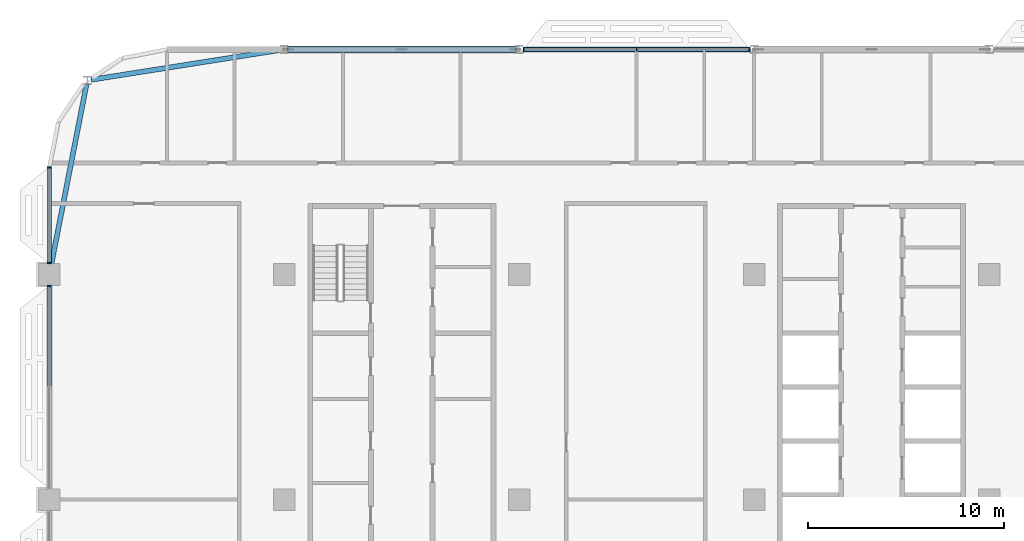
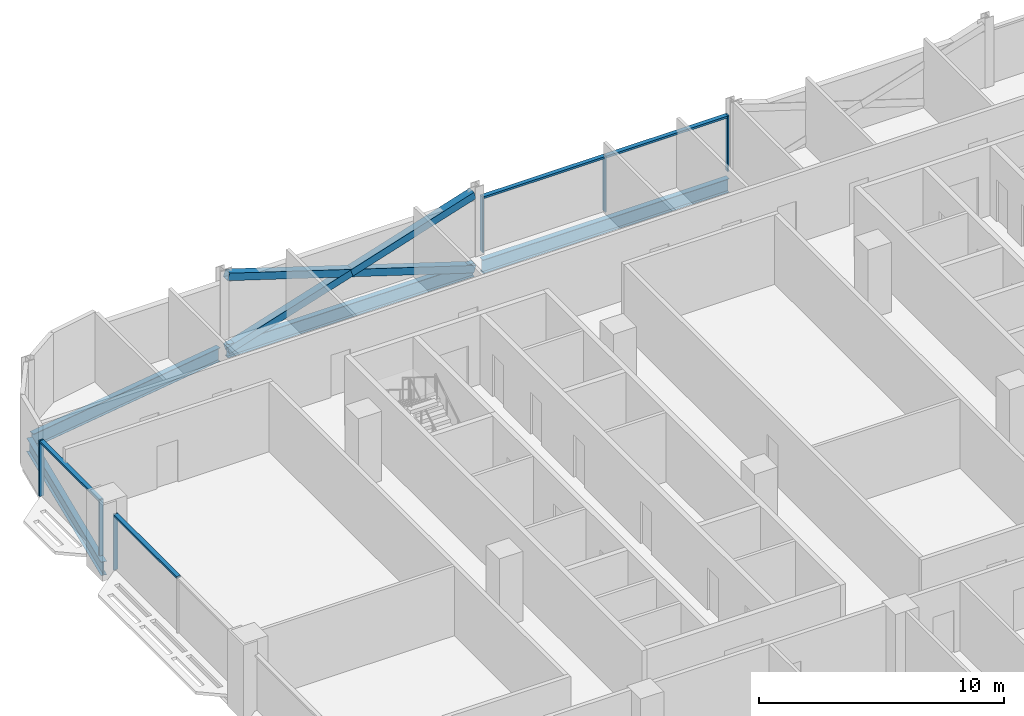
# One storey, part 7 of 30: 13 members, 4 beams, 3 elements without a shape of their own.
"""IFC4 building model written with IfcOpenShell, lengths in metres."""

from ifc_helpers import new_model, si_unit, direction, frame, origin, origin_2d, place, context, subcontext, project, spatial, rectangle, hollow_rectangle, i_section, extrude, material, material_profile, profile_set, type_object, element, aggregate, save


model = new_model("IFC4")

# Units and contexts
model_context = context("Model", 3, precision=1e-05, world=origin(), true_north=direction((0.0, 1.0)))
body_context = subcontext(model_context, "Body", "Model", "MODEL_VIEW")
ifc_project = project(units=[si_unit("LENGTHUNIT", "METRE"), si_unit("AREAUNIT", "SQUARE_METRE"), si_unit("VOLUMEUNIT", "CUBIC_METRE"), si_unit("PLANEANGLEUNIT", "RADIAN"), si_unit("MASSUNIT", "GRAM", prefix="KILO")], contexts=[model_context])

# Site, building, storey
site_placement = place(None, origin())
site = spatial("IfcSite", under=ifc_project, at=site_placement, CompositionType="ELEMENT")
building_placement = place(site_placement, origin())
building = spatial("IfcBuilding", under=site, at=building_placement, Name="Mahtab Terrace Research Tower", CompositionType="ELEMENT")
storey_placement = place(building_placement, frame((0.0, 0.0, 216.699951171875)))
storey = spatial("IfcBuildingStorey", under=building, at=storey_placement, Name="L52", CompositionType="ELEMENT", Elevation=216.699951171875)

# Members
ifc_material_1 = material(Name="Steel ASTM A500 Gr C", Category="steel")
ifc_material_profile_1 = material_profile(ifc_material_1, hollow_rectangle(XDim=0.355712890625, YDim=0.355712890625, WallThickness=0.015869140625, at=origin_2d()), Name="HSS14X14X5/8")
ifc_profile_set_1 = profile_set([ifc_material_profile_1], Name="Steel ASTM A500 Gr C")
member_type_1 = type_object("IfcMemberType", Name="HSS 14x14x5/8 brace XB141458", PredefinedType="BRACE", material=ifc_profile_set_1)
member_1_placement = place(storey_placement, frame((-18.20068359375, 23.0, -0.615478515625), z_axis=(-0.953343380425, 0.0, 0.301888057067), x_axis=(0.0, -1.0, 0.0)))
element("IfcMember", 1, at=member_1_placement, inside=storey, type_object=member_type_1, Name="Exoskeleton brace L52 07 a", PredefinedType="BRACE", context=body_context, shape_type="SweptSolid", body=[
    extrude(hollow_rectangle(XDim=0.355712890625, YDim=0.355712890625, WallThickness=0.015869140625, at=origin_2d()), origin(), (0.0, 0.0, 1.0), 12.166259765625),
])
for number, where, z_axis, x_axis, name in (
    (2, (-29.79931640625, 23.0, -0.615478515625), (0.953343380425, 0.0, 0.301888057067), (0.0, 1.0, 0.0), "Exoskeleton brace L52 07 b1"),
    (3, (-24.0, 23.0, 1.220947265625), (0.953343380425, 0.0, 0.301888057067), (0.0, 1.0, 0.0), "Exoskeleton brace L52 07 b2"),
):
    element("IfcMember", number, at=place(storey_placement, frame(where, z_axis=z_axis, x_axis=x_axis)), inside=storey, type_object=member_type_1, Name=name, PredefinedType="BRACE", context=body_context, shape_type="SweptSolid", body=[
        extrude(hollow_rectangle(XDim=0.355712890625, YDim=0.355712890625, WallThickness=0.015869140625, at=origin_2d()), origin(), (0.0, 0.0, 1.0), 6.083251953125),
    ])

# Curtain wall, members
ifc_material_2 = material(Name="Laboratory ribbon curtain wall")
curtain_wall_type = type_object("IfcCurtainWallType", Name="Laboratory ribbon curtain wall", PredefinedType="NOTDEFINED", material=ifc_material_2)
curtain_wall_1_placement = place(storey_placement, origin())
curtain_wall_1 = element("IfcCurtainWall", 4, at=curtain_wall_1_placement, inside=storey, type_object=curtain_wall_type, Name="EN.L52.3.8", PredefinedType="NOTDEFINED")
ifc_material_3 = material(Name="Natural anodised aluminium", Category="aluminium")
ifc_material_profile_2 = material_profile(ifc_material_3, rectangle(XDim=0.199951171875, YDim=0.06494140625, at=origin_2d()), Name="MULLION 65x200")
ifc_profile_set_2 = profile_set([ifc_material_profile_2], Name="Natural anodised aluminium")
member_type_2 = type_object("IfcMemberType", Name="Laboratory ribbon curtain wall mullion", PredefinedType="MULLION", material=ifc_profile_set_2)
member_2_placement = place(storey_placement, frame((-6.232421875, 23.0, 0.0), z_axis=(0.0, 0.0, 1.0), x_axis=(0.0, -1.0, 0.0)))
member_2 = element("IfcMember", 5, at=member_2_placement, type_object=member_type_2, Name="CWL-6 mullion 1", PredefinedType="MULLION", context=body_context, shape_type="SweptSolid", body=[
    extrude(rectangle(XDim=0.199951171875, YDim=0.06494140625, at=origin_2d()), origin(), (0.0, 0.0, 1.0), 2.78173828125),
])
member_3_placement = place(storey_placement, frame((-12.0, 23.0, 0.0), z_axis=(0.0, 0.0, 1.0), x_axis=(0.0, -1.0, 0.0)))
member_3 = element("IfcMember", 6, at=member_3_placement, type_object=member_type_2, Name="CWL-6 mullion 2", PredefinedType="MULLION", context=body_context, shape_type="SweptSolid", body=[
    extrude(rectangle(XDim=0.199951171875, YDim=0.06494140625, at=origin_2d()), origin(), (0.0, 0.0, 1.0), 2.78173828125),
])
member_4_placement = place(storey_placement, frame((-17.767578125, 23.0, 0.0), z_axis=(0.0, 0.0, 1.0), x_axis=(0.0, -1.0, 0.0)))
member_4 = element("IfcMember", 7, at=member_4_placement, type_object=member_type_2, Name="CWL-6 mullion 3", PredefinedType="MULLION", context=body_context, shape_type="SweptSolid", body=[
    extrude(rectangle(XDim=0.199951171875, YDim=0.06494140625, at=origin_2d()), origin(), (0.0, 0.0, 1.0), 2.78173828125),
])

curtain_wall_2_placement = place(storey_placement, origin())
curtain_wall_2 = element("IfcCurtainWall", 8, at=curtain_wall_2_placement, inside=storey, type_object=curtain_wall_type, Name="EN.L52.8.15", PredefinedType="NOTDEFINED")
member_5_placement = place(storey_placement, frame((-42.0, 16.967529296875, 0.0), z_axis=(0.0, 0.0, 1.0), x_axis=(1.0, 0.0, 0.0)))
member_5 = element("IfcMember", 9, at=member_5_placement, type_object=member_type_2, Name="CWL-6 mullion 1", PredefinedType="MULLION", context=body_context, shape_type="SweptSolid", body=[
    extrude(rectangle(XDim=0.199951171875, YDim=0.06494140625, at=origin_2d()), origin(), (0.0, 0.0, 1.0), 2.78173828125),
])
member_6_placement = place(storey_placement, frame((-42.0, 12.08251953125, 0.0), z_axis=(0.0, 0.0, 1.0), x_axis=(1.0, 0.0, 0.0)))
member_6 = element("IfcMember", 10, at=member_6_placement, type_object=member_type_2, Name="CWL-6 mullion 2", PredefinedType="MULLION", context=body_context, shape_type="SweptSolid", body=[
    extrude(rectangle(XDim=0.199951171875, YDim=0.06494140625, at=origin_2d()), origin(), (0.0, 0.0, 1.0), 2.78173828125),
])

# Curtain wall, member
curtain_wall_3_placement = place(storey_placement, origin())
curtain_wall_3 = element("IfcCurtainWall", 11, at=curtain_wall_3_placement, inside=storey, type_object=curtain_wall_type, Name="EN.L52.8.16", PredefinedType="NOTDEFINED")
member_7_placement = place(storey_placement, frame((-42.0, 10.91748046875, 0.0), z_axis=(0.0, 0.0, 1.0), x_axis=(1.0, 0.0, 0.0)))
member_7 = element("IfcMember", 12, at=member_7_placement, type_object=member_type_2, Name="CWL-6 mullion 1", PredefinedType="MULLION", context=body_context, shape_type="SweptSolid", body=[
    extrude(rectangle(XDim=0.199951171875, YDim=0.06494140625, at=origin_2d()), origin(), (0.0, 0.0, 1.0), 2.78173828125),
])

# Member
ifc_material_profile_3 = material_profile(ifc_material_3, rectangle(XDim=0.199951171875, YDim=0.10009765625, at=origin_2d()), Name="TRANSOM 100x200")
ifc_profile_set_3 = profile_set([ifc_material_profile_3], Name="Natural anodised aluminium")
member_type_3 = type_object("IfcMemberType", Name="Laboratory ribbon curtain wall transom", PredefinedType="USERDEFINED", material=ifc_profile_set_3)
member_8_placement = place(storey_placement, frame((-6.264892578125, 23.0, 2.73193359375), z_axis=(-1.0, 0.0, 0.0), x_axis=(0.0, -1.0, 0.0)))
member_8 = element("IfcMember", 13, at=member_8_placement, type_object=member_type_3, Name="CWL-6 transom 1", ObjectType="TRANSOM", PredefinedType="USERDEFINED", context=body_context, shape_type="SweptSolid", body=[
    extrude(rectangle(XDim=0.199951171875, YDim=0.10009765625, at=origin_2d()), origin(), (0.0, 0.0, 1.0), 5.70263671875),
])

member_9_placement = place(storey_placement, frame((-12.032470703125, 23.0, 2.73193359375), z_axis=(-1.0, 0.0, 0.0), x_axis=(0.0, -1.0, 0.0)))
member_9 = element("IfcMember", 14, at=member_9_placement, type_object=member_type_3, Name="CWL-6 transom 2", ObjectType="TRANSOM", PredefinedType="USERDEFINED", context=body_context, shape_type="SweptSolid", body=[
    extrude(rectangle(XDim=0.199951171875, YDim=0.10009765625, at=origin_2d()), origin(), (0.0, 0.0, 1.0), 5.70263671875),
])

aggregate(curtain_wall_1, [member_2, member_3, member_4, member_8, member_9])

member_10_placement = place(storey_placement, frame((-42.0, 16.93505859375, 2.73193359375), z_axis=(0.0, -1.0, 0.0), x_axis=(1.0, 0.0, 0.0)))
member_10 = element("IfcMember", 15, at=member_10_placement, type_object=member_type_3, Name="CWL-6 transom 1", ObjectType="TRANSOM", PredefinedType="USERDEFINED", context=body_context, shape_type="SweptSolid", body=[
    extrude(rectangle(XDim=0.199951171875, YDim=0.10009765625, at=origin_2d()), origin(), (0.0, 0.0, 1.0), 4.820068359375),
])

aggregate(curtain_wall_2, [member_5, member_6, member_10])

member_11_placement = place(storey_placement, frame((-42.0, 10.885009765625, 2.73193359375), z_axis=(0.0, -1.0, 0.0), x_axis=(1.0, 0.0, 0.0)))
member_11 = element("IfcMember", 16, at=member_11_placement, type_object=member_type_3, Name="CWL-6 transom 1", ObjectType="TRANSOM", PredefinedType="USERDEFINED", context=body_context, shape_type="SweptSolid", body=[
    extrude(rectangle(XDim=0.199951171875, YDim=0.10009765625, at=origin_2d()), origin(), (0.0, 0.0, 1.0), 5.1025390625),
])

aggregate(curtain_wall_3, [member_7, member_11])

# Beams
ifc_material_4 = material(Name="Steel ASTM A992 Gr 50", Category="steel")
ifc_material_profile_4 = material_profile(ifc_material_4, i_section(OverallWidth=0.25390625, OverallDepth=0.67822265625, WebThickness=0.01171875, FlangeThickness=0.016357421875, at=origin_2d()), Name="W27X84")
ifc_profile_set_4 = profile_set([ifc_material_profile_4], Name="Steel ASTM A992 Gr 50")
beam_type = type_object("IfcBeamType", Name="W27x84 beam BS2784", PredefinedType="BEAM", material=ifc_profile_set_4)
for number, where, z_axis, x_axis, name in (
    (17, (-6.20068359375, 23.0, -0.678955078125), (-1.0, 0.0, 0.0), (0.0, -1.0, 0.0), "Spandrel beam L52 06"),
    (18, (-18.20068359375, 23.0, -0.678955078125), (-1.0, 0.0, 0.0), (0.0, -1.0, 0.0), "Spandrel beam L52 07"),
):
    element("IfcBeam", number, at=place(storey_placement, frame(where, z_axis=z_axis, x_axis=x_axis)), inside=storey, type_object=beam_type, Name=name, PredefinedType="BEAM", context=body_context, shape_type="SweptSolid", body=[
        extrude(i_section(OverallWidth=0.25390625, OverallDepth=0.67822265625, WebThickness=0.01171875, FlangeThickness=0.016357421875, at=origin_2d()), origin(), (0.0, 0.0, 1.0), 11.5986328125),
    ])
beam_1_placement = place(storey_placement, frame((-30.20068359375, 22.968505859375, -0.678955078125), z_axis=(-0.987831689273, -0.155526697604, 0.0), x_axis=(0.155526697604, -0.987831689273, 0.0)))
element("IfcBeam", 19, at=beam_1_placement, inside=storey, type_object=beam_type, Name="Spandrel beam L52 08", PredefinedType="BEAM", context=body_context, shape_type="SweptSolid", body=[
    extrude(i_section(OverallWidth=0.25390625, OverallDepth=0.67822265625, WebThickness=0.01171875, FlangeThickness=0.016357421875, at=origin_2d()), origin(), (0.0, 0.0, 1.0), 9.779541015625),
])
beam_2_placement = place(storey_placement, frame((-40.10107421875, 21.216552734375, -0.678955078125), z_axis=(-0.191811291145, -0.981431825747, 0.0), x_axis=(0.981431825747, -0.191811291145, 0.0)))
element("IfcBeam", 20, at=beam_2_placement, inside=storey, type_object=beam_type, Name="Spandrel beam L52 09", PredefinedType="BEAM", context=body_context, shape_type="SweptSolid", body=[
    extrude(i_section(OverallWidth=0.25390625, OverallDepth=0.67822265625, WebThickness=0.01171875, FlangeThickness=0.016357421875, at=origin_2d()), origin(), (0.0, 0.0, 1.0), 9.33984375),
])

save(model, "model.ifc")
